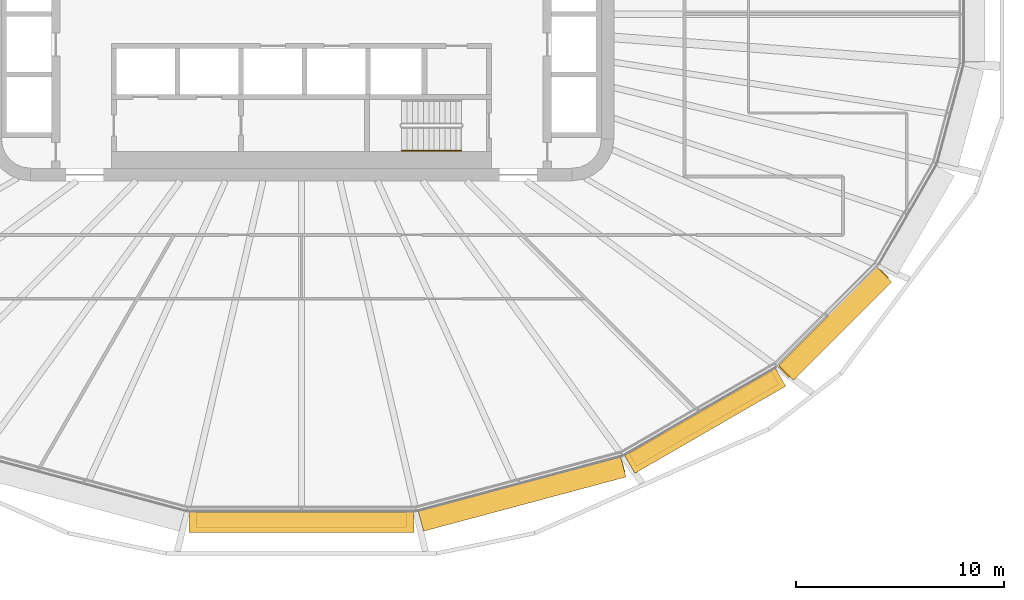
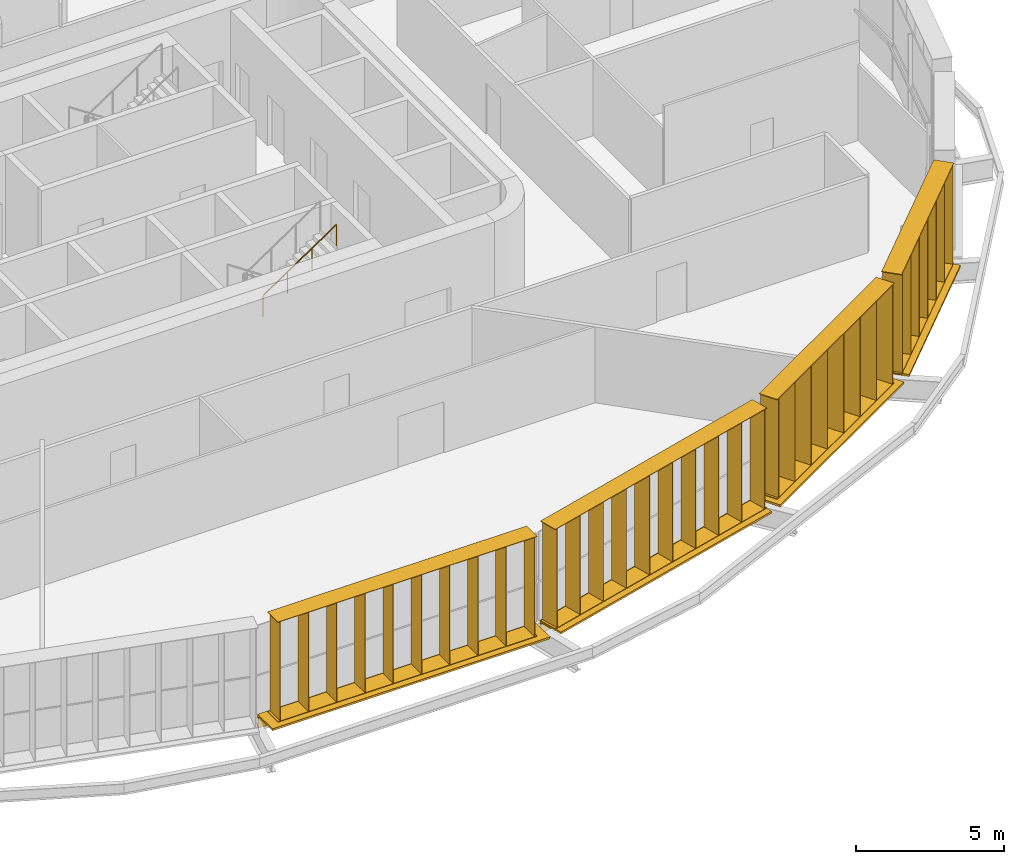
# One storey, part 21 of 25: 8 shading devices, 1 railing.
"""IFC4 building model written with IfcOpenShell, lengths in metres."""

from ifc_helpers import new_model, si_unit, direction, frame, origin, origin_2d, place, context, subcontext, project, spatial, rectangle, circle, extrude, material, type_object, element, save


model = new_model("IFC4")

# Units and contexts
model_context = context("Model", 3, precision=1e-05, world=origin(), true_north=direction((0.0, 1.0)))
body_context = subcontext(model_context, "Body", "Model", "MODEL_VIEW")
ifc_project = project(units=[si_unit("LENGTHUNIT", "METRE"), si_unit("AREAUNIT", "SQUARE_METRE"), si_unit("VOLUMEUNIT", "CUBIC_METRE"), si_unit("PLANEANGLEUNIT", "RADIAN"), si_unit("MASSUNIT", "GRAM", prefix="KILO")], contexts=[model_context])

# Site, building, storey
site_placement = place(None, origin())
site = spatial("IfcSite", under=ifc_project, at=site_placement, CompositionType="ELEMENT")
building_placement = place(site_placement, origin())
building = spatial("IfcBuilding", under=site, at=building_placement, Name="Sahrelin Media Tower", CompositionType="ELEMENT")
storey_placement = place(building_placement, frame((0.0, 0.0, 127.199951171875)))
storey = spatial("IfcBuildingStorey", under=building, at=storey_placement, Name="L25", CompositionType="ELEMENT", Elevation=127.199951171875)

# Shading devices
ifc_material_1 = material(Name="Champagne anodised aluminium 6063-T6", Category="aluminium")
shading_device_type_1 = type_object("IfcShadingDeviceType", Name="Fin cassette", PredefinedType="USERDEFINED", material=ifc_material_1)
placement_1 = place(storey_placement, frame((0.0, -23.86474609375, 0.0), z_axis=(0.0, 0.0, 1.0), x_axis=(-1.0, 0.0, 0.0)))
element("IfcShadingDevice", 1, at=placement_1, inside=storey, type_object=shading_device_type_1, Name="L25:FIN:L25-18", ObjectType="FIN", PredefinedType="USERDEFINED", context=body_context, shape_type="SweptSolid", body=[
    extrude(rectangle(XDim=10.10009765625, YDim=0.699951171875, at=origin_2d()), frame((0.0, 0.419921875, 0.0)), (0.0, 0.0, 1.0), 0.02001953125),
    extrude(rectangle(XDim=10.10009765625, YDim=0.699951171875, at=origin_2d()), frame((0.0, 0.419921875, 4.10009765625)), (0.0, 0.0, 1.0), 0.02001953125),
    extrude(rectangle(XDim=0.02001953125, YDim=0.699951171875, at=origin_2d()), frame((-4.949951171875, 0.419921875, 0.010009765625), z_axis=(0.0, 0.0, 1.0), x_axis=(1.0, 0.0, 0.0)), (0.0, 0.0, 1.0), 4.10009765625),
    extrude(rectangle(XDim=0.02001953125, YDim=0.699951171875, at=origin_2d()), frame((-3.85009765625, 0.419921875, 0.010009765625), z_axis=(0.0, 0.0, 1.0), x_axis=(1.0, 0.0, 0.0)), (0.0, 0.0, 1.0), 4.10009765625),
    extrude(rectangle(XDim=0.02001953125, YDim=0.699951171875, at=origin_2d()), frame((-2.75, 0.419921875, 0.010009765625), z_axis=(0.0, 0.0, 1.0), x_axis=(1.0, 0.0, 0.0)), (0.0, 0.0, 1.0), 4.10009765625),
    extrude(rectangle(XDim=0.02001953125, YDim=0.699951171875, at=origin_2d()), frame((-1.64990234375, 0.419921875, 0.010009765625), z_axis=(0.0, 0.0, 1.0), x_axis=(1.0, 0.0, 0.0)), (0.0, 0.0, 1.0), 4.10009765625),
    extrude(rectangle(XDim=0.02001953125, YDim=0.699951171875, at=origin_2d()), frame((-0.550048828125, 0.419921875, 0.010009765625), z_axis=(0.0, 0.0, 1.0), x_axis=(1.0, 0.0, 0.0)), (0.0, 0.0, 1.0), 4.10009765625),
    extrude(rectangle(XDim=0.02001953125, YDim=0.699951171875, at=origin_2d()), frame((0.550048828125, 0.419921875, 0.010009765625), z_axis=(0.0, 0.0, 1.0), x_axis=(1.0, 0.0, 0.0)), (0.0, 0.0, 1.0), 4.10009765625),
    extrude(rectangle(XDim=0.02001953125, YDim=0.699951171875, at=origin_2d()), frame((1.64990234375, 0.419921875, 0.010009765625), z_axis=(0.0, 0.0, 1.0), x_axis=(1.0, 0.0, 0.0)), (0.0, 0.0, 1.0), 4.10009765625),
    extrude(rectangle(XDim=0.02001953125, YDim=0.699951171875, at=origin_2d()), frame((2.75, 0.419921875, 0.010009765625), z_axis=(0.0, 0.0, 1.0), x_axis=(1.0, 0.0, 0.0)), (0.0, 0.0, 1.0), 4.10009765625),
    extrude(rectangle(XDim=0.02001953125, YDim=0.699951171875, at=origin_2d()), frame((3.85009765625, 0.419921875, 0.010009765625), z_axis=(0.0, 0.0, 1.0), x_axis=(1.0, 0.0, 0.0)), (0.0, 0.0, 1.0), 4.10009765625),
    extrude(rectangle(XDim=0.02001953125, YDim=0.699951171875, at=origin_2d()), frame((4.949951171875, 0.419921875, 0.010009765625), z_axis=(0.0, 0.0, 1.0), x_axis=(1.0, 0.0, 0.0)), (0.0, 0.0, 1.0), 4.10009765625),
])
placement_2 = place(storey_placement, frame((10.460205078125, -22.537353515625, 0.0), z_axis=(0.0, 0.0, 1.0), x_axis=(-0.965928857556, -0.258807731996, 0.0)))
element("IfcShadingDevice", 2, at=placement_2, inside=storey, type_object=shading_device_type_1, Name="L25:FIN:L25-19", ObjectType="FIN", PredefinedType="USERDEFINED", context=body_context, shape_type="SweptSolid", body=[
    extrude(rectangle(XDim=10.10009765625, YDim=0.699951171875, at=origin_2d()), frame((0.0, 0.419921875, 0.0)), (0.0, 0.0, 1.0), 0.02001953125),
    extrude(rectangle(XDim=10.10009765625, YDim=0.699951171875, at=origin_2d()), frame((0.0, 0.419921875, 4.10009765625)), (0.0, 0.0, 1.0), 0.02001953125),
    extrude(rectangle(XDim=0.02001953125, YDim=0.699951171875, at=origin_2d()), frame((-4.949951171875, 0.419921875, 0.010009765625), z_axis=(0.0, 0.0, 1.0), x_axis=(1.0, 0.0, 0.0)), (0.0, 0.0, 1.0), 4.10009765625),
    extrude(rectangle(XDim=0.02001953125, YDim=0.699951171875, at=origin_2d()), frame((-3.85009765625, 0.419921875, 0.010009765625), z_axis=(0.0, 0.0, 1.0), x_axis=(1.0, 0.0, 0.0)), (0.0, 0.0, 1.0), 4.10009765625),
    extrude(rectangle(XDim=0.02001953125, YDim=0.699951171875, at=origin_2d()), frame((-2.75, 0.419921875, 0.010009765625), z_axis=(0.0, 0.0, 1.0), x_axis=(1.0, 0.0, 0.0)), (0.0, 0.0, 1.0), 4.10009765625),
    extrude(rectangle(XDim=0.02001953125, YDim=0.699951171875, at=origin_2d()), frame((-1.64990234375, 0.419921875, 0.010009765625), z_axis=(0.0, 0.0, 1.0), x_axis=(1.0, 0.0, 0.0)), (0.0, 0.0, 1.0), 4.10009765625),
    extrude(rectangle(XDim=0.02001953125, YDim=0.699951171875, at=origin_2d()), frame((-0.550048828125, 0.419921875, 0.010009765625), z_axis=(0.0, 0.0, 1.0), x_axis=(1.0, 0.0, 0.0)), (0.0, 0.0, 1.0), 4.10009765625),
    extrude(rectangle(XDim=0.02001953125, YDim=0.699951171875, at=origin_2d()), frame((0.550048828125, 0.419921875, 0.010009765625), z_axis=(0.0, 0.0, 1.0), x_axis=(1.0, 0.0, 0.0)), (0.0, 0.0, 1.0), 4.10009765625),
    extrude(rectangle(XDim=0.02001953125, YDim=0.699951171875, at=origin_2d()), frame((1.64990234375, 0.419921875, 0.010009765625), z_axis=(0.0, 0.0, 1.0), x_axis=(1.0, 0.0, 0.0)), (0.0, 0.0, 1.0), 4.10009765625),
    extrude(rectangle(XDim=0.02001953125, YDim=0.699951171875, at=origin_2d()), frame((2.75, 0.419921875, 0.010009765625), z_axis=(0.0, 0.0, 1.0), x_axis=(1.0, 0.0, 0.0)), (0.0, 0.0, 1.0), 4.10009765625),
    extrude(rectangle(XDim=0.02001953125, YDim=0.699951171875, at=origin_2d()), frame((3.85009765625, 0.419921875, 0.010009765625), z_axis=(0.0, 0.0, 1.0), x_axis=(1.0, 0.0, 0.0)), (0.0, 0.0, 1.0), 4.10009765625),
    extrude(rectangle(XDim=0.02001953125, YDim=0.699951171875, at=origin_2d()), frame((4.949951171875, 0.419921875, 0.010009765625), z_axis=(0.0, 0.0, 1.0), x_axis=(1.0, 0.0, 0.0)), (0.0, 0.0, 1.0), 4.10009765625),
])
placement_3 = place(storey_placement, frame((19.12109375, -19.069580078125, 0.0), z_axis=(0.0, 0.0, 1.0), x_axis=(-0.866019052629, -0.500011000363, 0.0)))
element("IfcShadingDevice", 3, at=placement_3, inside=storey, type_object=shading_device_type_1, Name="L25:FIN:L25-20", ObjectType="FIN", PredefinedType="USERDEFINED", context=body_context, shape_type="SweptSolid", body=[
    extrude(rectangle(XDim=7.89990234375, YDim=0.699951171875, at=origin_2d()), frame((0.0, 0.419921875, 0.0)), (0.0, 0.0, 1.0), 0.02001953125),
    extrude(rectangle(XDim=7.89990234375, YDim=0.699951171875, at=origin_2d()), frame((0.0, 0.419921875, 4.10009765625)), (0.0, 0.0, 1.0), 0.02001953125),
    extrude(rectangle(XDim=0.02001953125, YDim=0.699951171875, at=origin_2d()), frame((-3.85009765625, 0.419921875, 0.010009765625), z_axis=(0.0, 0.0, 1.0), x_axis=(1.0, 0.0, 0.0)), (0.0, 0.0, 1.0), 4.10009765625),
    extrude(rectangle(XDim=0.02001953125, YDim=0.699951171875, at=origin_2d()), frame((-2.75, 0.419921875, 0.010009765625), z_axis=(0.0, 0.0, 1.0), x_axis=(1.0, 0.0, 0.0)), (0.0, 0.0, 1.0), 4.10009765625),
    extrude(rectangle(XDim=0.02001953125, YDim=0.699951171875, at=origin_2d()), frame((-1.64990234375, 0.419921875, 0.010009765625), z_axis=(0.0, 0.0, 1.0), x_axis=(1.0, 0.0, 0.0)), (0.0, 0.0, 1.0), 4.10009765625),
    extrude(rectangle(XDim=0.02001953125, YDim=0.699951171875, at=origin_2d()), frame((-0.550048828125, 0.419921875, 0.010009765625), z_axis=(0.0, 0.0, 1.0), x_axis=(1.0, 0.0, 0.0)), (0.0, 0.0, 1.0), 4.10009765625),
    extrude(rectangle(XDim=0.02001953125, YDim=0.699951171875, at=origin_2d()), frame((0.550048828125, 0.419921875, 0.010009765625), z_axis=(0.0, 0.0, 1.0), x_axis=(1.0, 0.0, 0.0)), (0.0, 0.0, 1.0), 4.10009765625),
    extrude(rectangle(XDim=0.02001953125, YDim=0.699951171875, at=origin_2d()), frame((1.64990234375, 0.419921875, 0.010009765625), z_axis=(0.0, 0.0, 1.0), x_axis=(1.0, 0.0, 0.0)), (0.0, 0.0, 1.0), 4.10009765625),
    extrude(rectangle(XDim=0.02001953125, YDim=0.699951171875, at=origin_2d()), frame((2.75, 0.419921875, 0.010009765625), z_axis=(0.0, 0.0, 1.0), x_axis=(1.0, 0.0, 0.0)), (0.0, 0.0, 1.0), 4.10009765625),
    extrude(rectangle(XDim=0.02001953125, YDim=0.699951171875, at=origin_2d()), frame((3.85009765625, 0.419921875, 0.010009765625), z_axis=(0.0, 0.0, 1.0), x_axis=(1.0, 0.0, 0.0)), (0.0, 0.0, 1.0), 4.10009765625),
])
placement_4 = place(storey_placement, frame((25.25634765625, -14.5009765625, 0.0), z_axis=(0.0, 0.0, 1.0), x_axis=(-0.707106781187, -0.707106781187, 0.0)))
element("IfcShadingDevice", 4, at=placement_4, inside=storey, type_object=shading_device_type_1, Name="L25:FIN:L25-21", ObjectType="FIN", PredefinedType="USERDEFINED", context=body_context, shape_type="SweptSolid", body=[
    extrude(rectangle(XDim=6.800048828125, YDim=0.699951171875, at=origin_2d()), frame((0.0, 0.419921875, 0.0)), (0.0, 0.0, 1.0), 0.02001953125),
    extrude(rectangle(XDim=6.800048828125, YDim=0.699951171875, at=origin_2d()), frame((0.0, 0.419921875, 4.10009765625)), (0.0, 0.0, 1.0), 0.02001953125),
    extrude(rectangle(XDim=0.02001953125, YDim=0.699951171875, at=origin_2d()), frame((-3.300048828125, 0.419921875, 0.010009765625), z_axis=(0.0, 0.0, 1.0), x_axis=(1.0, 0.0, 0.0)), (0.0, 0.0, 1.0), 4.10009765625),
    extrude(rectangle(XDim=0.02001953125, YDim=0.699951171875, at=origin_2d()), frame((-2.199951171875, 0.419921875, 0.010009765625), z_axis=(0.0, 0.0, 1.0), x_axis=(1.0, 0.0, 0.0)), (0.0, 0.0, 1.0), 4.10009765625),
    extrude(rectangle(XDim=0.02001953125, YDim=0.699951171875, at=origin_2d()), frame((-1.10009765625, 0.419921875, 0.010009765625), z_axis=(0.0, 0.0, 1.0), x_axis=(1.0, 0.0, 0.0)), (0.0, 0.0, 1.0), 4.10009765625),
    extrude(rectangle(XDim=0.02001953125, YDim=0.699951171875, at=origin_2d()), frame((0.0, 0.419921875, 0.010009765625), z_axis=(0.0, 0.0, 1.0), x_axis=(1.0, 0.0, 0.0)), (0.0, 0.0, 1.0), 4.10009765625),
    extrude(rectangle(XDim=0.02001953125, YDim=0.699951171875, at=origin_2d()), frame((1.10009765625, 0.419921875, 0.010009765625), z_axis=(0.0, 0.0, 1.0), x_axis=(1.0, 0.0, 0.0)), (0.0, 0.0, 1.0), 4.10009765625),
    extrude(rectangle(XDim=0.02001953125, YDim=0.699951171875, at=origin_2d()), frame((2.199951171875, 0.419921875, 0.010009765625), z_axis=(0.0, 0.0, 1.0), x_axis=(1.0, 0.0, 0.0)), (0.0, 0.0, 1.0), 4.10009765625),
    extrude(rectangle(XDim=0.02001953125, YDim=0.699951171875, at=origin_2d()), frame((3.300048828125, 0.419921875, 0.010009765625), z_axis=(0.0, 0.0, 1.0), x_axis=(1.0, 0.0, 0.0)), (0.0, 0.0, 1.0), 4.10009765625),
])

# Railing
ifc_material_2 = material(Name="Steel S355", Category="steel")
railing_type = type_object("IfcRailingType", Name="Stair handrail 900", PredefinedType="HANDRAIL", material=ifc_material_2)
railing_placement = place(storey_placement, frame((4.81494140625, -6.550048828125, 2.275146484375)))
element("IfcRailing", 5, at=railing_placement, inside=storey, type_object=railing_type, Name="L25 ST2 stair handrail 2", PredefinedType="HANDRAIL", context=body_context, shape_type="SweptSolid", body=[
    extrude(circle(Radius=0.02392578125, at=origin_2d()), frame((0.0, 0.0, 0.8759765625), z_axis=(0.829623704247, 0.0, 0.558322943601), x_axis=(0.0, 1.0, 0.0)), (0.0, 0.0, 1.0), 3.447509765625),
    extrude(circle(Radius=0.02099609375, at=origin_2d()), origin(), (0.0, 0.0, 1.0), 0.851806640625),
    extrude(circle(Radius=0.02099609375, at=origin_2d()), frame((0.953369140625, 0.0, 0.6416015625)), (0.0, 0.0, 1.0), 0.851806640625),
    extrude(circle(Radius=0.02099609375, at=origin_2d()), frame((1.90673828125, 0.0, 1.283203125)), (0.0, 0.0, 1.0), 0.851806640625),
    extrude(circle(Radius=0.02099609375, at=origin_2d()), frame((2.860107421875, 0.0, 1.9248046875)), (0.0, 0.0, 1.0), 0.851806640625),
])

# Shading devices
shading_device_type_2 = type_object("IfcShadingDeviceType", Name="Sunshade band", PredefinedType="USERDEFINED", material=ifc_material_1)
element("IfcShadingDevice", 6, at=placement_1, inside=storey, type_object=shading_device_type_2, Name="L25:SUN:L25-18", ObjectType="SUNSHADE", PredefinedType="USERDEFINED", context=body_context, shape_type="SweptSolid", body=[
    extrude(rectangle(XDim=10.8125, YDim=0.050048828125, at=origin_2d()), frame((0.0, 0.044921875, -0.55126953125)), (0.0, 0.0, 1.0), 0.471435546875),
    extrude(rectangle(XDim=10.8125, YDim=1.0, at=origin_2d()), frame((0.0, 0.52001953125, -0.080078125)), (0.0, 0.0, 1.0), 0.080078125),
    extrude(rectangle(XDim=0.10009765625, YDim=0.074951171875, at=origin_2d()), frame((-5.30615234375, -0.017578125, -0.47021484375)), (0.0, 0.0, 1.0), 0.300048828125),
    extrude(rectangle(XDim=0.10009765625, YDim=0.074951171875, at=origin_2d()), frame((-3.53759765625, -0.017578125, -0.47021484375)), (0.0, 0.0, 1.0), 0.300048828125),
    extrude(rectangle(XDim=0.10009765625, YDim=0.074951171875, at=origin_2d()), frame((-1.768798828125, -0.017578125, -0.47021484375)), (0.0, 0.0, 1.0), 0.300048828125),
    extrude(rectangle(XDim=0.10009765625, YDim=0.074951171875, at=origin_2d()), frame((0.0, -0.017578125, -0.47021484375)), (0.0, 0.0, 1.0), 0.300048828125),
    extrude(rectangle(XDim=0.10009765625, YDim=0.074951171875, at=origin_2d()), frame((1.768798828125, -0.017578125, -0.47021484375)), (0.0, 0.0, 1.0), 0.300048828125),
    extrude(rectangle(XDim=0.10009765625, YDim=0.074951171875, at=origin_2d()), frame((3.53759765625, -0.017578125, -0.47021484375)), (0.0, 0.0, 1.0), 0.300048828125),
    extrude(rectangle(XDim=0.10009765625, YDim=0.074951171875, at=origin_2d()), frame((5.30615234375, -0.017578125, -0.47021484375)), (0.0, 0.0, 1.0), 0.300048828125),
])
element("IfcShadingDevice", 7, at=placement_2, inside=storey, type_object=shading_device_type_2, Name="L25:SUN:L25-19", ObjectType="SUNSHADE", PredefinedType="USERDEFINED", context=body_context, shape_type="SweptSolid", body=[
    extrude(rectangle(XDim=10.0576171875, YDim=0.050048828125, at=origin_2d()), frame((0.0, 0.044921875, -0.55126953125)), (0.0, 0.0, 1.0), 0.471435546875),
    extrude(rectangle(XDim=10.0576171875, YDim=1.0, at=origin_2d()), frame((0.0, 0.52001953125, -0.080078125)), (0.0, 0.0, 1.0), 0.080078125),
    extrude(rectangle(XDim=0.10009765625, YDim=0.074951171875, at=origin_2d()), frame((-4.9287109375, -0.017578125, -0.47021484375)), (0.0, 0.0, 1.0), 0.300048828125),
    extrude(rectangle(XDim=0.10009765625, YDim=0.074951171875, at=origin_2d()), frame((-3.285888671875, -0.017578125, -0.47021484375)), (0.0, 0.0, 1.0), 0.300048828125),
    extrude(rectangle(XDim=0.10009765625, YDim=0.074951171875, at=origin_2d()), frame((-1.642822265625, -0.017578125, -0.47021484375)), (0.0, 0.0, 1.0), 0.300048828125),
    extrude(rectangle(XDim=0.10009765625, YDim=0.074951171875, at=origin_2d()), frame((0.0, -0.017578125, -0.47021484375)), (0.0, 0.0, 1.0), 0.300048828125),
    extrude(rectangle(XDim=0.10009765625, YDim=0.074951171875, at=origin_2d()), frame((1.642822265625, -0.017578125, -0.47021484375)), (0.0, 0.0, 1.0), 0.300048828125),
    extrude(rectangle(XDim=0.10009765625, YDim=0.074951171875, at=origin_2d()), frame((3.285888671875, -0.017578125, -0.47021484375)), (0.0, 0.0, 1.0), 0.300048828125),
    extrude(rectangle(XDim=0.10009765625, YDim=0.074951171875, at=origin_2d()), frame((4.9287109375, -0.017578125, -0.47021484375)), (0.0, 0.0, 1.0), 0.300048828125),
])
element("IfcShadingDevice", 8, at=placement_3, inside=storey, type_object=shading_device_type_2, Name="L25:SUN:L25-20", ObjectType="SUNSHADE", PredefinedType="USERDEFINED", context=body_context, shape_type="SweptSolid", body=[
    extrude(rectangle(XDim=8.360595703125, YDim=0.050048828125, at=origin_2d()), frame((0.0, 0.044921875, -0.55126953125)), (0.0, 0.0, 1.0), 0.471435546875),
    extrude(rectangle(XDim=8.360595703125, YDim=1.0, at=origin_2d()), frame((0.0, 0.52001953125, -0.080078125)), (0.0, 0.0, 1.0), 0.080078125),
    extrude(rectangle(XDim=0.10009765625, YDim=0.074951171875, at=origin_2d()), frame((-4.080078125, -0.017578125, -0.47021484375)), (0.0, 0.0, 1.0), 0.300048828125),
    extrude(rectangle(XDim=0.10009765625, YDim=0.074951171875, at=origin_2d()), frame((-2.447998046875, -0.017578125, -0.47021484375)), (0.0, 0.0, 1.0), 0.300048828125),
    extrude(rectangle(XDim=0.10009765625, YDim=0.074951171875, at=origin_2d()), frame((-0.81591796875, -0.017578125, -0.47021484375)), (0.0, 0.0, 1.0), 0.300048828125),
    extrude(rectangle(XDim=0.10009765625, YDim=0.074951171875, at=origin_2d()), frame((0.81591796875, -0.017578125, -0.47021484375)), (0.0, 0.0, 1.0), 0.300048828125),
    extrude(rectangle(XDim=0.10009765625, YDim=0.074951171875, at=origin_2d()), frame((2.447998046875, -0.017578125, -0.47021484375)), (0.0, 0.0, 1.0), 0.300048828125),
    extrude(rectangle(XDim=0.10009765625, YDim=0.074951171875, at=origin_2d()), frame((4.080078125, -0.017578125, -0.47021484375)), (0.0, 0.0, 1.0), 0.300048828125),
])
element("IfcShadingDevice", 9, at=placement_4, inside=storey, type_object=shading_device_type_2, Name="L25:SUN:L25-21", ObjectType="SUNSHADE", PredefinedType="USERDEFINED", context=body_context, shape_type="SweptSolid", body=[
    extrude(rectangle(XDim=6.6689453125, YDim=0.050048828125, at=origin_2d()), frame((0.0, 0.044921875, -0.55126953125)), (0.0, 0.0, 1.0), 0.471435546875),
    extrude(rectangle(XDim=6.6689453125, YDim=1.0, at=origin_2d()), frame((0.0, 0.52001953125, -0.080078125)), (0.0, 0.0, 1.0), 0.080078125),
    extrude(rectangle(XDim=0.10009765625, YDim=0.074951171875, at=origin_2d()), frame((-3.234619140625, -0.017578125, -0.47021484375)), (0.0, 0.0, 1.0), 0.300048828125),
    extrude(rectangle(XDim=0.10009765625, YDim=0.074951171875, at=origin_2d()), frame((-1.6171875, -0.017578125, -0.47021484375)), (0.0, 0.0, 1.0), 0.300048828125),
    extrude(rectangle(XDim=0.10009765625, YDim=0.074951171875, at=origin_2d()), frame((0.0, -0.017578125, -0.47021484375)), (0.0, 0.0, 1.0), 0.300048828125),
    extrude(rectangle(XDim=0.10009765625, YDim=0.074951171875, at=origin_2d()), frame((1.6171875, -0.017578125, -0.47021484375)), (0.0, 0.0, 1.0), 0.300048828125),
    extrude(rectangle(XDim=0.10009765625, YDim=0.074951171875, at=origin_2d()), frame((3.234619140625, -0.017578125, -0.47021484375)), (0.0, 0.0, 1.0), 0.300048828125),
])

save(model, "model.ifc")
